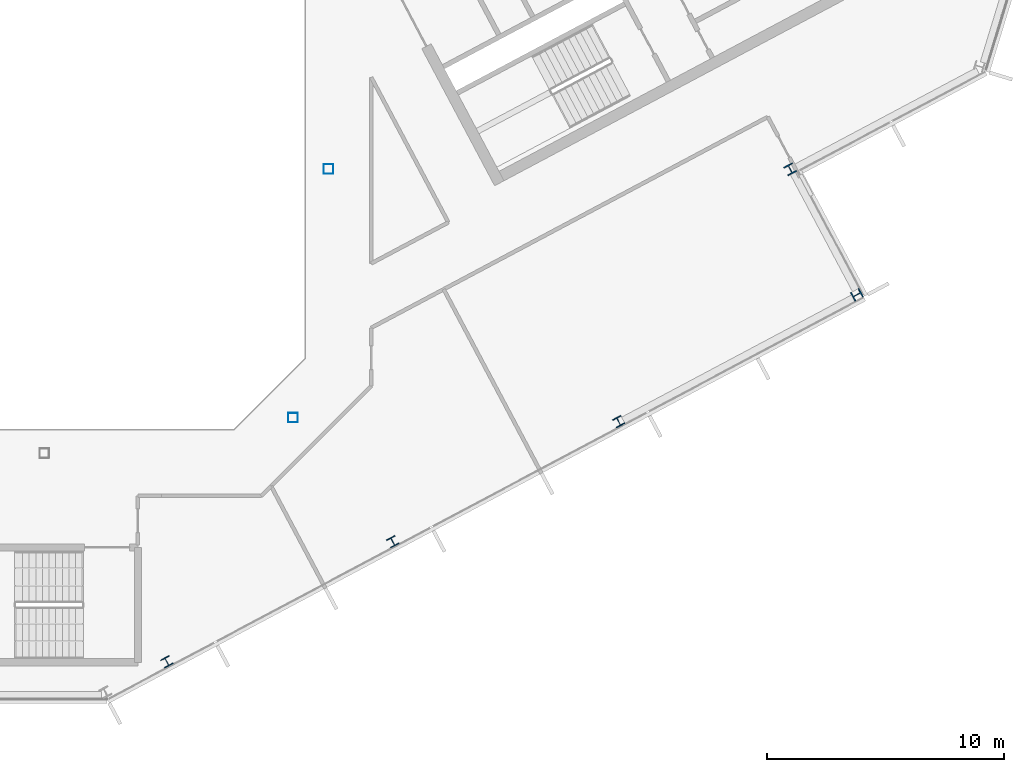
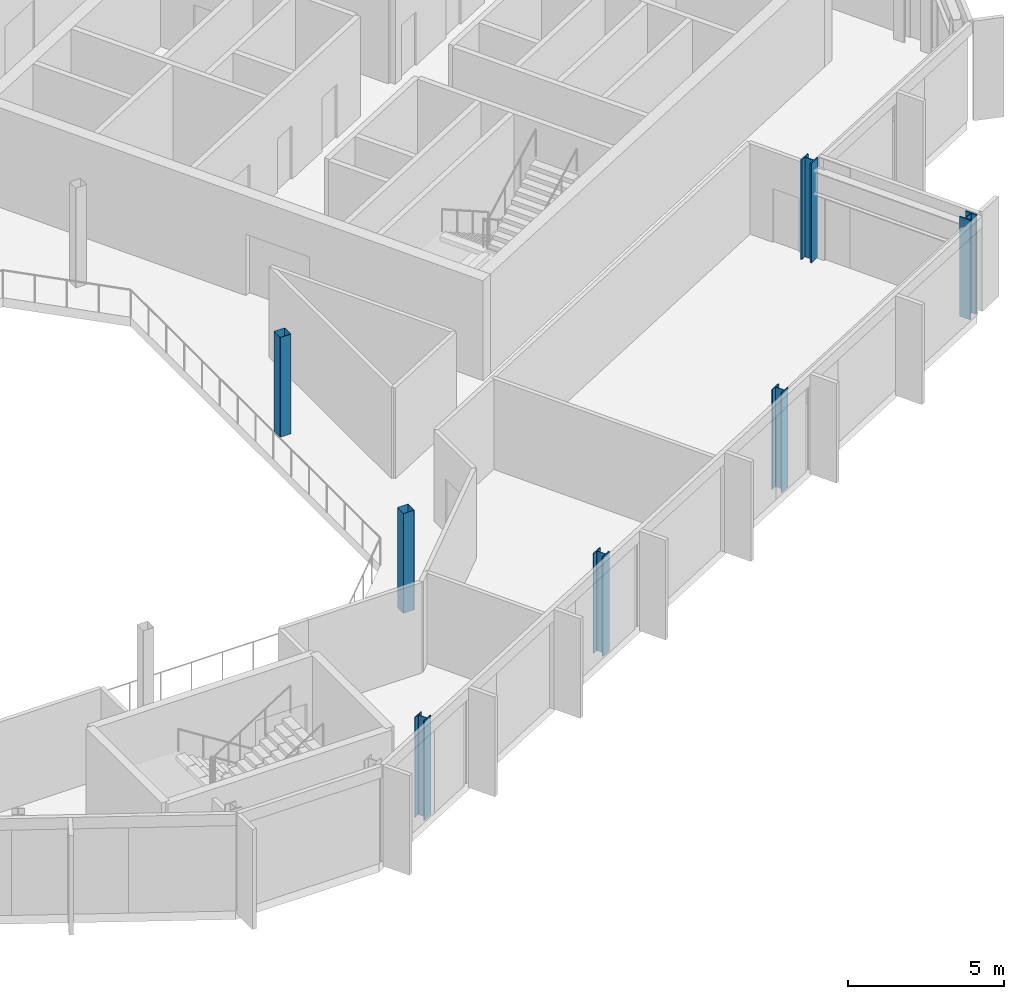
# One storey, part 5 of 25: 7 columns.
"""IFC4 building model written with IfcOpenShell, lengths in metres."""

from ifc_helpers import new_model, si_unit, direction, frame, origin, origin_2d, place, context, subcontext, project, spatial, hollow_rectangle, i_section, extrude, material, material_profile, profile_set, type_object, element, save


model = new_model("IFC4")

# Units and contexts
model_context = context("Model", 3, precision=1e-05, world=origin(), true_north=direction((0.0, 1.0)))
body_context = subcontext(model_context, "Body", "Model", "MODEL_VIEW")
ifc_project = project(units=[si_unit("LENGTHUNIT", "METRE"), si_unit("AREAUNIT", "SQUARE_METRE"), si_unit("VOLUMEUNIT", "CUBIC_METRE"), si_unit("PLANEANGLEUNIT", "RADIAN"), si_unit("MASSUNIT", "GRAM", prefix="KILO")], contexts=[model_context])

# Site, building, storey
site_placement = place(None, origin())
site = spatial("IfcSite", under=ifc_project, at=site_placement, CompositionType="ELEMENT")
building_placement = place(site_placement, origin())
building = spatial("IfcBuilding", under=site, at=building_placement, Name="Cormorant Relay Tower", CompositionType="ELEMENT")
storey_placement = place(building_placement, frame((0.0, 0.0, 297.0)))
storey = spatial("IfcBuildingStorey", under=building, at=storey_placement, Name="L67", CompositionType="ELEMENT", Elevation=297.0)

# Columns
ifc_material_1 = material(Name="Steel ASTM A500 Grade C (Fy 345 MPa)", Category="steel")
ifc_material_profile_1 = material_profile(ifc_material_1, hollow_rectangle(XDim=0.406494140625, YDim=0.406494140625, WallThickness=0.0087890625, InnerFilletRadius=0.00439453125, OuterFilletRadius=0.01318359375, at=origin_2d()), Name="HSS406x406x9")
ifc_profile_set_1 = profile_set([ifc_material_profile_1], Name="Steel ASTM A500 Grade C (Fy 345 MPa)")
column_type_1 = type_object("IfcColumnType", Name="Column HSS406x406x9", PredefinedType="COLUMN", material=ifc_profile_set_1)
for number, where, z_axis, x_axis, name in (
    (1, (10.5, -10.5, 0.0), (0.0, 0.0, 1.0), (1.0, 0.0, 0.0), "Column L67-010"),
    (2, (12.0, 0.0, 0.0), (0.0, 0.0, 1.0), (1.0, 0.0, 0.0), "Column L67-016"),
):
    element("IfcColumn", number, at=place(storey_placement, frame(where, z_axis=z_axis, x_axis=x_axis)), inside=storey, type_object=column_type_1, Name=name, PredefinedType="COLUMN", context=body_context, shape_type="SweptSolid", body=[
        extrude(hollow_rectangle(XDim=0.406494140625, YDim=0.406494140625, WallThickness=0.0087890625, InnerFilletRadius=0.00439453125, OuterFilletRadius=0.01318359375, at=origin_2d()), origin(), (0.0, 0.0, 1.0), 3.89990234375),
    ])
ifc_material_2 = material(Name="Steel ASTM A992 (Fy 345 MPa)", Category="steel")
ifc_material_profile_2 = material_profile(ifc_material_2, i_section(OverallWidth=0.398681640625, OverallDepth=0.385986328125, WebThickness=0.02099609375, FlangeThickness=0.033203125, FilletRadius=0.01513671875, at=origin_2d()), Name="W360x262")
ifc_profile_set_2 = profile_set([ifc_material_profile_2], Name="Steel ASTM A992 (Fy 345 MPa)")
column_type_2 = type_object("IfcColumnType", Name="Column W360x262", PredefinedType="COLUMN", material=ifc_profile_set_2)
for number, where, z_axis, x_axis, name in (
    (3, (5.174072265625, -20.806884765625, 0.0), (0.0, 0.0, 1.0), (0.882947592859, 0.469471562786, 0.0), "Column L67-003"),
    (4, (14.7099609375, -15.736083984375, 0.0), (0.0, 0.0, 1.0), (0.882947592859, 0.469471562786, 0.0), "Column L67-005"),
    (5, (24.2451171875, -10.666015625, 0.0), (0.0, 0.0, 1.0), (0.882947592859, 0.469471562786, 0.0), "Column L67-008"),
):
    element("IfcColumn", number, at=place(storey_placement, frame(where, z_axis=z_axis, x_axis=x_axis)), inside=storey, type_object=column_type_2, Name=name, PredefinedType="COLUMN", context=body_context, shape_type="SweptSolid", body=[
        extrude(i_section(OverallWidth=0.398681640625, OverallDepth=0.385986328125, WebThickness=0.02099609375, FlangeThickness=0.033203125, FilletRadius=0.01513671875, at=origin_2d()), origin(), (0.0, 0.0, 1.0), 3.89990234375),
    ])
ifc_material_3 = material(Name="Steel ASTM A992 (Fy 345 MPa)", Category="steel")
ifc_material_profile_3 = material_profile(ifc_material_3, i_section(OverallWidth=0.40380859375, OverallDepth=0.406494140625, WebThickness=0.027099609375, FlangeThickness=0.043701171875, FilletRadius=0.01513671875, at=origin_2d()), Name="W360x347")
ifc_profile_set_3 = profile_set([ifc_material_profile_3], Name="Steel ASTM A992 (Fy 345 MPa)")
column_type_3 = type_object("IfcColumnType", Name="Column W360x347", PredefinedType="COLUMN", material=ifc_profile_set_3)
for number, where, z_axis, x_axis, name in (
    (6, (34.303955078125, -5.31201171875, 0.0), (0.0, 0.0, 1.0), (-0.469471562786, 0.882947592859, 0.0), "Column L67-012"),
    (7, (31.487060546875, -0.013916015625, 0.0), (0.0, 0.0, 1.0), (0.882947592859, 0.469471562786, 0.0), "Column L67-014"),
):
    element("IfcColumn", number, at=place(storey_placement, frame(where, z_axis=z_axis, x_axis=x_axis)), inside=storey, type_object=column_type_3, Name=name, PredefinedType="COLUMN", context=body_context, shape_type="SweptSolid", body=[
        extrude(i_section(OverallWidth=0.40380859375, OverallDepth=0.406494140625, WebThickness=0.027099609375, FlangeThickness=0.043701171875, FilletRadius=0.01513671875, at=origin_2d()), origin(), (0.0, 0.0, 1.0), 3.89990234375),
    ])

save(model, "model.ifc")
